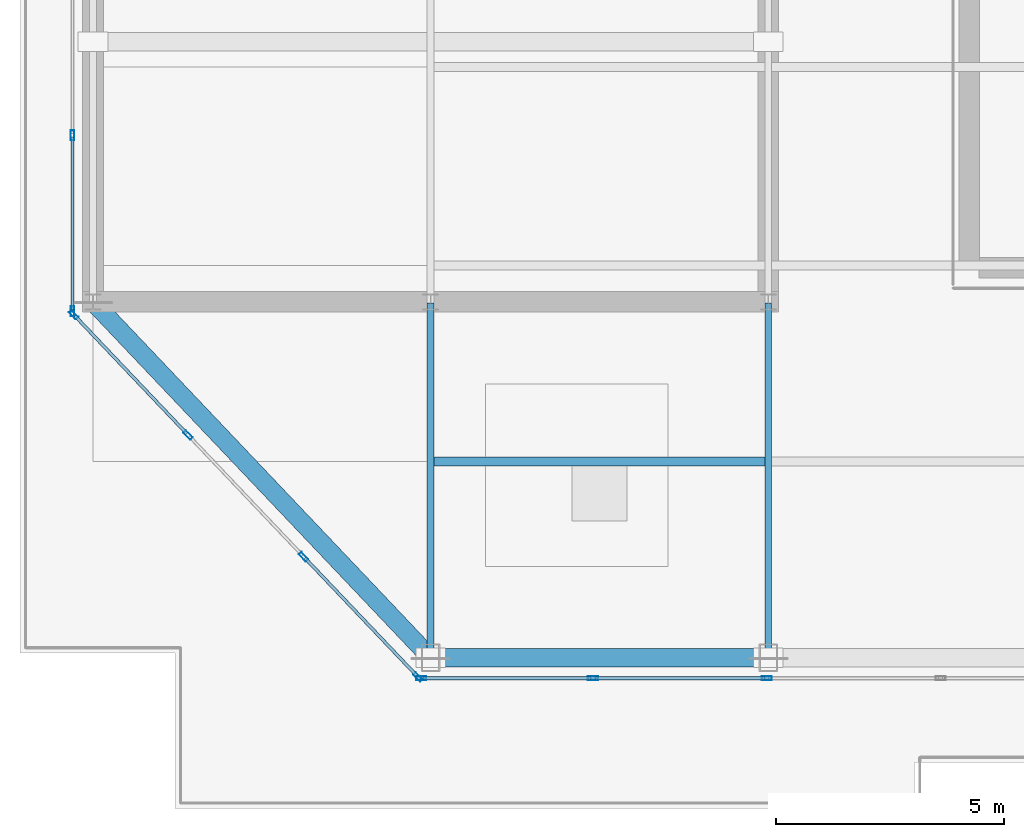
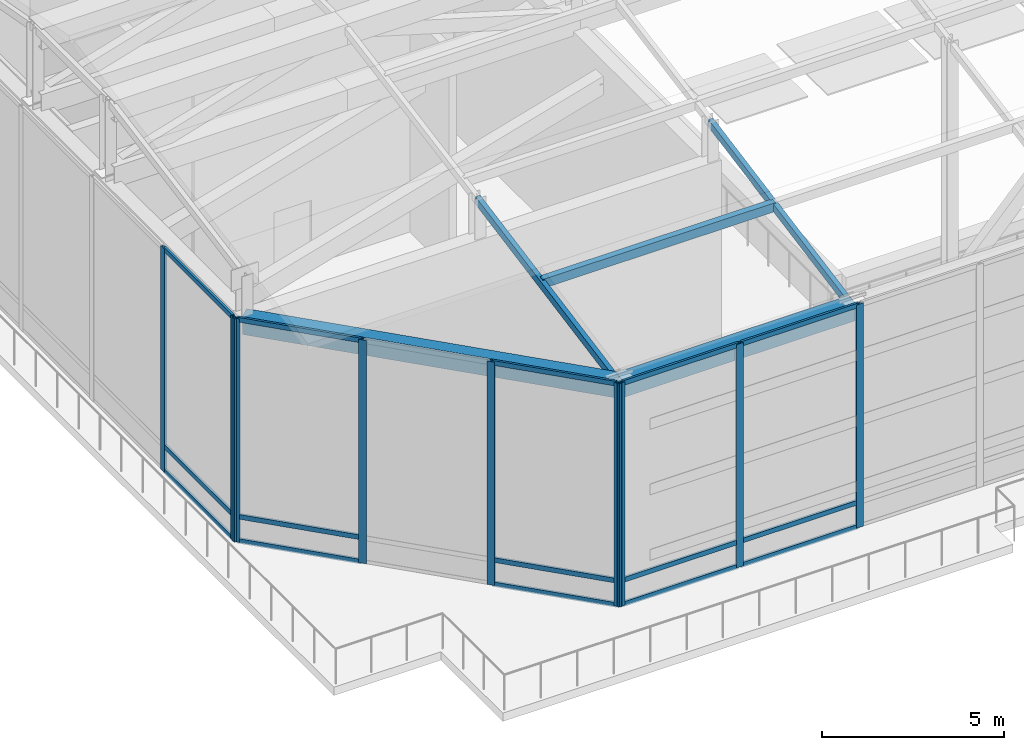
# One storey, part 4 of 25: 27 members, 2 beams, 3 elements without a shape of their own.
"""IFC4 building model written with IfcOpenShell, lengths in metres."""

from ifc_helpers import new_model, si_unit, direction, frame, origin, origin_2d, place, context, subcontext, project, spatial, hollow_rectangle, extrude, source, transform, mapped, material, layer, layer_set, material_profile, profile_set, type_object, type_shapes, element, aggregate, save


model = new_model("IFC4")

# Units and contexts
model_context = context("Model", 3, precision=1e-05, world=origin(), true_north=direction((0.0, 1.0)))
body_context = subcontext(model_context, "Body", "Model", "MODEL_VIEW")
ifc_project = project(units=[si_unit("LENGTHUNIT", "METRE"), si_unit("AREAUNIT", "SQUARE_METRE"), si_unit("VOLUMEUNIT", "CUBIC_METRE"), si_unit("PLANEANGLEUNIT", "RADIAN"), si_unit("MASSUNIT", "GRAM", prefix="KILO")], contexts=[model_context])

# Site, building, storey
site_placement = place(None, origin())
site = spatial("IfcSite", under=ifc_project, at=site_placement, CompositionType="ELEMENT")
building_placement = place(site_placement, origin())
building = spatial("IfcBuilding", under=site, at=building_placement, Name="Haelvirn Gate Laboratories", CompositionType="ELEMENT")
storey_placement = place(building_placement, frame((0.0, 0.0, 337.800048828125)))
storey = spatial("IfcBuildingStorey", under=building, at=storey_placement, Name="RF", CompositionType="ELEMENT", Elevation=337.800048828125)

# Beams
ifc_material_1 = material(Name="Steel SM420", Category="steel")
ifc_material_profile_1 = material_profile(ifc_material_1, hollow_rectangle(XDim=0.39990234375, YDim=0.60009765625, WallThickness=0.02490234375, at=origin_2d()), Name="BOX-600x400x25")
ifc_profile_set_1 = profile_set([ifc_material_profile_1], Name="Steel SM420")
beam_type = type_object("IfcBeamType", Name="BM-CROWN-CAP", PredefinedType="USERDEFINED", material=ifc_profile_set_1)
shared_shape_1 = source(origin(), body_context, "Body", "SweptSolid", [
    extrude(hollow_rectangle(XDim=0.39990234375, YDim=0.60009765625, WallThickness=0.02490234375, at=origin_2d()), origin(), (0.0, 0.0, 1.0), 7.39990234375),
])
beam_1_placement = place(storey_placement, frame((14.800048828125, 7.0, 7.050048828125), z_axis=(1.0, 0.0, 0.0), x_axis=(0.0, 1.0, 0.0)))
element("IfcBeam", 1, at=beam_1_placement, inside=storey, type_object=beam_type, Name="RF Crown Frame Cap Ring Beam S1-S2", ObjectType="CROWN FRAME", PredefinedType="USERDEFINED", context=body_context, shape_type="MappedRepresentation", body=[
    mapped(shared_shape_1, transform((0.0, 0.0, 0.0), scale=1.0)),
])
shared_shape_2 = source(origin(), body_context, "Body", "SweptSolid", [
    extrude(hollow_rectangle(XDim=0.39990234375, YDim=0.60009765625, WallThickness=0.02490234375, at=origin_2d()), origin(), (0.0, 0.0, 1.0), 10.751953125),
])
type_shapes(beam_type, [shared_shape_1, shared_shape_2])
beam_2_placement = place(storey_placement, frame((7.39990234375, 14.800048828125, 7.050048828125), z_axis=(0.688265334683, -0.725459047138, 0.0), x_axis=(0.725459047138, 0.688265334683, 0.0)))
element("IfcBeam", 2, at=beam_2_placement, inside=storey, type_object=beam_type, Name="RF Crown Frame Cap Ring Beam W1-S1", ObjectType="CROWN FRAME", PredefinedType="USERDEFINED", context=body_context, shape_type="MappedRepresentation", body=[
    mapped(shared_shape_2, transform((0.0, 0.0, 0.0), scale=1.0)),
])

# Members
ifc_material_2 = material(Name="Steel SM355", Category="steel")
ifc_material_profile_2 = material_profile(ifc_material_2, hollow_rectangle(XDim=0.14990234375, YDim=0.25, WallThickness=0.010009765625, at=origin_2d()), Name="RHS-250x150x10")
ifc_profile_set_2 = profile_set([ifc_material_profile_2], Name="Steel SM355")
member_type_1 = type_object("IfcMemberType", Name="MEM-CROWN-RAF", PredefinedType="RAFTER", material=ifc_profile_set_2)
shared_shape_3 = source(origin(), body_context, "Body", "SweptSolid", [
    extrude(hollow_rectangle(XDim=0.14990234375, YDim=0.25, WallThickness=0.010009765625, at=origin_2d()), origin(), (0.0, 0.0, 1.0), 7.9375),
])
type_shapes(member_type_1, [shared_shape_3])
for number, where, z_axis, x_axis, name in (
    (3, (14.800048828125, 7.0, 7.099853515625), (0.0, 0.982673493777, 0.185345096044), (-1.0, 0.0, 0.0), "RF Vault Rafter Chord X14.8-1"),
    (4, (22.199951171875, 7.0, 7.099853515625), (0.0, 0.982673493777, 0.185345096044), (-1.0, 0.0, 0.0), "RF Vault Rafter Chord X22.2-1"),
):
    element("IfcMember", number, at=place(storey_placement, frame(where, z_axis=z_axis, x_axis=x_axis)), inside=storey, type_object=member_type_1, Name=name, PredefinedType="RAFTER", context=body_context, shape_type="MappedRepresentation", body=[
        mapped(shared_shape_3, transform((0.0, 0.0, 0.0), scale=1.0)),
    ])
ifc_material_profile_3 = material_profile(ifc_material_2, hollow_rectangle(XDim=0.199951171875, YDim=0.300048828125, WallThickness=0.011962890625, at=origin_2d()), Name="RHS-300x200x12")
ifc_profile_set_3 = profile_set([ifc_material_profile_3], Name="Steel SM355")
member_type_2 = type_object("IfcMemberType", Name="MEM-ROOF-PURL", PredefinedType="PURLIN", material=ifc_profile_set_3)
shared_shape_4 = source(origin(), body_context, "Body", "SweptSolid", [
    extrude(hollow_rectangle(XDim=0.199951171875, YDim=0.300048828125, WallThickness=0.011962890625, at=origin_2d()), origin(), (0.0, 0.0, 1.0), 7.39990234375),
])
type_shapes(member_type_2, [shared_shape_4])
member_1_placement = place(storey_placement, frame((14.800048828125, 11.300048828125, 7.89990234375), z_axis=(1.0, 0.0, 0.0), x_axis=(0.0, 1.0, 0.0)))
element("IfcMember", 5, at=member_1_placement, inside=storey, type_object=member_type_2, Name="RF Vault Purlin 1 (14.8-22.2)", PredefinedType="PURLIN", context=body_context, shape_type="MappedRepresentation", body=[
    mapped(shared_shape_4, transform((0.0, 0.0, 0.0), scale=1.0)),
])

# Curtain wall, members
ifc_material_3 = material(Name="Anodised bronze unitised aluminium & triple low-E glass", Category="aluminium")
ifc_layer = layer(ifc_material_3, 0.19189453125, Name="CW-SYS-6")
ifc_layer_set = layer_set([ifc_layer], Name="Anodised bronze unitised aluminium & triple low-E glass")
curtain_wall_type = type_object("IfcCurtainWallType", Name="CW-SYS-6", PredefinedType="NOTDEFINED", material=ifc_layer_set)
curtain_wall_1_placement = place(storey_placement, origin())
curtain_wall_1 = element("IfcCurtainWall", 6, at=curtain_wall_1_placement, inside=storey, type_object=curtain_wall_type, Name="RF Unitised Curtain Wall CW-RF-RING-00", PredefinedType="NOTDEFINED")
ifc_material_4 = material(Name="Extruded aluminium 6063-T6 (anodised bronze)", Category="aluminium")
ifc_material_profile_4 = material_profile(ifc_material_4, hollow_rectangle(XDim=0.080078125, YDim=0.219970703125, WallThickness=0.006103515625, at=origin_2d()), Name="CWM-220x80x6")
ifc_profile_set_4 = profile_set([ifc_material_profile_4], Name="Extruded aluminium 6063-T6 (anodised bronze)")
member_type_3 = type_object("IfcMemberType", Name="CWM-T220", PredefinedType="MULLION", material=ifc_profile_set_4)
shared_shape_5 = source(origin(), body_context, "Body", "SweptSolid", [
    extrude(hollow_rectangle(XDim=0.080078125, YDim=0.219970703125, WallThickness=0.006103515625, at=origin_2d()), origin(), (0.0, 0.0, 1.0), 7.5),
])
type_shapes(member_type_3, [shared_shape_5])
member_2_placement = place(storey_placement, frame((14.590087890625, 6.550048828125, 0.0), z_axis=(0.0, 0.0, 1.0), x_axis=(0.0, 1.0, 0.0)))
member_2 = element("IfcMember", 7, at=member_2_placement, type_object=member_type_3, Name="CW6 mullion 1", PredefinedType="MULLION", context=body_context, shape_type="MappedRepresentation", body=[
    mapped(shared_shape_5, transform((0.0, 0.0, 0.0), scale=1.0)),
])
member_3_placement = place(storey_placement, frame((18.3583984375, 6.550048828125, 0.0), z_axis=(0.0, 0.0, 1.0), x_axis=(0.0, 1.0, 0.0)))
member_3 = element("IfcMember", 8, at=member_3_placement, type_object=member_type_3, Name="CW6 mullion 2", PredefinedType="MULLION", context=body_context, shape_type="MappedRepresentation", body=[
    mapped(shared_shape_5, transform((0.0, 0.0, 0.0), scale=1.0)),
])
member_4_placement = place(storey_placement, frame((22.166748046875, 6.550048828125, 0.0), z_axis=(0.0, 0.0, 1.0), x_axis=(0.0, 1.0, 0.0)))
member_4 = element("IfcMember", 9, at=member_4_placement, type_object=member_type_3, Name="CW6 mullion 3", PredefinedType="MULLION", context=body_context, shape_type="MappedRepresentation", body=[
    mapped(shared_shape_5, transform((0.0, 0.0, 0.0), scale=1.0)),
])

curtain_wall_2_placement = place(storey_placement, origin())
curtain_wall_2 = element("IfcCurtainWall", 10, at=curtain_wall_2_placement, inside=storey, type_object=curtain_wall_type, Name="RF Unitised Curtain Wall CW-RF-RING-06", PredefinedType="NOTDEFINED")
member_5_placement = place(storey_placement, frame((6.949951171875, 18.449951171875, 0.0), z_axis=(0.0, 0.0, 1.0), x_axis=(1.0, 0.0, 0.0)))
member_5 = element("IfcMember", 11, at=member_5_placement, type_object=member_type_3, Name="CW6 mullion 5", PredefinedType="MULLION", context=body_context, shape_type="MappedRepresentation", body=[
    mapped(shared_shape_5, transform((0.0, 0.0, 0.0), scale=1.0)),
])
member_6_placement = place(storey_placement, frame((6.949951171875, 14.590087890625, 0.0), z_axis=(0.0, 0.0, 1.0), x_axis=(1.0, 0.0, 0.0)))
member_6 = element("IfcMember", 12, at=member_6_placement, type_object=member_type_3, Name="CW6 mullion 6", PredefinedType="MULLION", context=body_context, shape_type="MappedRepresentation", body=[
    mapped(shared_shape_5, transform((0.0, 0.0, 0.0), scale=1.0)),
])

curtain_wall_3_placement = place(storey_placement, origin())
curtain_wall_3 = element("IfcCurtainWall", 13, at=curtain_wall_3_placement, inside=storey, type_object=curtain_wall_type, Name="RF Unitised Curtain Wall CW-RF-RING-07", PredefinedType="NOTDEFINED")
member_7_placement = place(storey_placement, frame((6.9775390625, 14.52099609375, 0.0), z_axis=(0.0, 0.0, 1.0), x_axis=(0.72499943359, 0.68874946192, 0.0)))
member_7 = element("IfcMember", 14, at=member_7_placement, type_object=member_type_3, Name="CW6 mullion 1", PredefinedType="MULLION", context=body_context, shape_type="MappedRepresentation", body=[
    mapped(shared_shape_5, transform((0.0, 0.0, 0.0), scale=1.0)),
])
member_8_placement = place(storey_placement, frame((9.4833984375, 11.88330078125, 0.0), z_axis=(0.0, 0.0, 1.0), x_axis=(0.72499943359, 0.68874946192, 0.0)))
member_8 = element("IfcMember", 15, at=member_8_placement, type_object=member_type_3, Name="CW6 mullion 2", PredefinedType="MULLION", context=body_context, shape_type="MappedRepresentation", body=[
    mapped(shared_shape_5, transform((0.0, 0.0, 0.0), scale=1.0)),
])
member_9_placement = place(storey_placement, frame((12.0166015625, 9.216552734375, 0.0), z_axis=(0.0, 0.0, 1.0), x_axis=(0.72499943359, 0.68874946192, 0.0)))
member_9 = element("IfcMember", 16, at=member_9_placement, type_object=member_type_3, Name="CW6 mullion 3", PredefinedType="MULLION", context=body_context, shape_type="MappedRepresentation", body=[
    mapped(shared_shape_5, transform((0.0, 0.0, 0.0), scale=1.0)),
])
member_10_placement = place(storey_placement, frame((14.5224609375, 6.5791015625, 0.0), z_axis=(0.0, 0.0, 1.0), x_axis=(0.72499943359, 0.68874946192, 0.0)))
member_10 = element("IfcMember", 17, at=member_10_placement, type_object=member_type_3, Name="CW6 mullion 4", PredefinedType="MULLION", context=body_context, shape_type="MappedRepresentation", body=[
    mapped(shared_shape_5, transform((0.0, 0.0, 0.0), scale=1.0)),
])

# Member
ifc_material_profile_5 = material_profile(ifc_material_4, hollow_rectangle(XDim=0.070068359375, YDim=0.159912109375, WallThickness=0.0048828125, at=origin_2d()), Name="CWT-160x70x5")
ifc_profile_set_5 = profile_set([ifc_material_profile_5], Name="Extruded aluminium 6063-T6 (anodised bronze)")
member_type_4 = type_object("IfcMemberType", Name="CWT-T160", PredefinedType="USERDEFINED", material=ifc_profile_set_5)
shared_shape_6 = source(origin(), body_context, "Body", "SweptSolid", [
    extrude(hollow_rectangle(XDim=0.070068359375, YDim=0.159912109375, WallThickness=0.0048828125, at=origin_2d()), origin(), (0.0, 0.0, 1.0), 3.6884765625),
])
member_11_placement = place(storey_placement, frame((14.6298828125, 6.550048828125, 0.034912109375), z_axis=(1.0, 0.0, 0.0), x_axis=(0.0, 1.0, 0.0)))
member_11 = element("IfcMember", 18, at=member_11_placement, type_object=member_type_4, Name="CW6 transom 1.1", ObjectType="TRANSOM", PredefinedType="USERDEFINED", context=body_context, shape_type="MappedRepresentation", body=[
    mapped(shared_shape_6, transform((0.0, 0.0, 0.0), scale=1.0)),
])

member_12_placement = place(storey_placement, frame((14.6298828125, 6.550048828125, 0.849853515625), z_axis=(1.0, 0.0, 0.0), x_axis=(0.0, 1.0, 0.0)))
member_12 = element("IfcMember", 19, at=member_12_placement, type_object=member_type_4, Name="CW6 transom 1.2", ObjectType="TRANSOM", PredefinedType="USERDEFINED", context=body_context, shape_type="MappedRepresentation", body=[
    mapped(shared_shape_6, transform((0.0, 0.0, 0.0), scale=1.0)),
])

member_13_placement = place(storey_placement, frame((14.6298828125, 6.550048828125, 7.46484375), z_axis=(1.0, 0.0, 0.0), x_axis=(0.0, 1.0, 0.0)))
member_13 = element("IfcMember", 20, at=member_13_placement, type_object=member_type_4, Name="CW6 transom 1.3", ObjectType="TRANSOM", PredefinedType="USERDEFINED", context=body_context, shape_type="MappedRepresentation", body=[
    mapped(shared_shape_6, transform((0.0, 0.0, 0.0), scale=1.0)),
])

shared_shape_7 = source(origin(), body_context, "Body", "SweptSolid", [
    extrude(hollow_rectangle(XDim=0.070068359375, YDim=0.159912109375, WallThickness=0.0048828125, at=origin_2d()), origin(), (0.0, 0.0, 1.0), 3.728271484375),
])
member_14_placement = place(storey_placement, frame((18.3984375, 6.550048828125, 0.034912109375), z_axis=(1.0, 0.0, 0.0), x_axis=(0.0, 1.0, 0.0)))
member_14 = element("IfcMember", 21, at=member_14_placement, type_object=member_type_4, Name="CW6 transom 2.1", ObjectType="TRANSOM", PredefinedType="USERDEFINED", context=body_context, shape_type="MappedRepresentation", body=[
    mapped(shared_shape_7, transform((0.0, 0.0, 0.0), scale=1.0)),
])

member_15_placement = place(storey_placement, frame((18.3984375, 6.550048828125, 0.849853515625), z_axis=(1.0, 0.0, 0.0), x_axis=(0.0, 1.0, 0.0)))
member_15 = element("IfcMember", 22, at=member_15_placement, type_object=member_type_4, Name="CW6 transom 2.2", ObjectType="TRANSOM", PredefinedType="USERDEFINED", context=body_context, shape_type="MappedRepresentation", body=[
    mapped(shared_shape_7, transform((0.0, 0.0, 0.0), scale=1.0)),
])

member_16_placement = place(storey_placement, frame((18.3984375, 6.550048828125, 7.46484375), z_axis=(1.0, 0.0, 0.0), x_axis=(0.0, 1.0, 0.0)))
member_16 = element("IfcMember", 23, at=member_16_placement, type_object=member_type_4, Name="CW6 transom 2.3", ObjectType="TRANSOM", PredefinedType="USERDEFINED", context=body_context, shape_type="MappedRepresentation", body=[
    mapped(shared_shape_7, transform((0.0, 0.0, 0.0), scale=1.0)),
])

aggregate(curtain_wall_1, [member_2, member_3, member_4, member_11, member_12, member_13, member_14, member_15, member_16])

shared_shape_8 = source(origin(), body_context, "Body", "SweptSolid", [
    extrude(hollow_rectangle(XDim=0.070068359375, YDim=0.159912109375, WallThickness=0.0048828125, at=origin_2d()), origin(), (0.0, 0.0, 1.0), 3.558349609375),
])
member_17_placement = place(storey_placement, frame((12.044189453125, 9.187744140625, 0.034912109375), z_axis=(0.688726019915, -0.725021702773, 0.0), x_axis=(0.725021702773, 0.688726019915, 0.0)))
member_17 = element("IfcMember", 24, at=member_17_placement, type_object=member_type_4, Name="CW6 transom 3.1", ObjectType="TRANSOM", PredefinedType="USERDEFINED", context=body_context, shape_type="MappedRepresentation", body=[
    mapped(shared_shape_8, transform((0.0, 0.0, 0.0), scale=1.0)),
])

member_18_placement = place(storey_placement, frame((12.044189453125, 9.187744140625, 0.849853515625), z_axis=(0.688726019915, -0.725021702773, 0.0), x_axis=(0.725021702773, 0.688726019915, 0.0)))
member_18 = element("IfcMember", 25, at=member_18_placement, type_object=member_type_4, Name="CW6 transom 3.2", ObjectType="TRANSOM", PredefinedType="USERDEFINED", context=body_context, shape_type="MappedRepresentation", body=[
    mapped(shared_shape_8, transform((0.0, 0.0, 0.0), scale=1.0)),
])

member_19_placement = place(storey_placement, frame((12.044189453125, 9.187744140625, 7.46484375), z_axis=(0.688726019915, -0.725021702773, 0.0), x_axis=(0.725021702773, 0.688726019915, 0.0)))
member_19 = element("IfcMember", 26, at=member_19_placement, type_object=member_type_4, Name="CW6 transom 3.3", ObjectType="TRANSOM", PredefinedType="USERDEFINED", context=body_context, shape_type="MappedRepresentation", body=[
    mapped(shared_shape_8, transform((0.0, 0.0, 0.0), scale=1.0)),
])

shared_shape_9 = source(origin(), body_context, "Body", "SweptSolid", [
    extrude(hollow_rectangle(XDim=0.070068359375, YDim=0.159912109375, WallThickness=0.0048828125, at=origin_2d()), origin(), (0.0, 0.0, 1.0), 3.55810546875),
])
member_20_placement = place(storey_placement, frame((7.005126953125, 14.491943359375, 0.034912109375), z_axis=(0.688760281595, -0.724989154745, 0.0), x_axis=(0.724989154745, 0.688760281595, 0.0)))
member_20 = element("IfcMember", 27, at=member_20_placement, type_object=member_type_4, Name="CW6 transom 1.1", ObjectType="TRANSOM", PredefinedType="USERDEFINED", context=body_context, shape_type="MappedRepresentation", body=[
    mapped(shared_shape_9, transform((0.0, 0.0, 0.0), scale=1.0)),
])

member_21_placement = place(storey_placement, frame((7.005126953125, 14.491943359375, 0.849853515625), z_axis=(0.688760281595, -0.724989154745, 0.0), x_axis=(0.724989154745, 0.688760281595, 0.0)))
member_21 = element("IfcMember", 28, at=member_21_placement, type_object=member_type_4, Name="CW6 transom 1.2", ObjectType="TRANSOM", PredefinedType="USERDEFINED", context=body_context, shape_type="MappedRepresentation", body=[
    mapped(shared_shape_9, transform((0.0, 0.0, 0.0), scale=1.0)),
])

member_22_placement = place(storey_placement, frame((7.005126953125, 14.491943359375, 7.46484375), z_axis=(0.688760281595, -0.724989154745, 0.0), x_axis=(0.724989154745, 0.688760281595, 0.0)))
member_22 = element("IfcMember", 29, at=member_22_placement, type_object=member_type_4, Name="CW6 transom 1.3", ObjectType="TRANSOM", PredefinedType="USERDEFINED", context=body_context, shape_type="MappedRepresentation", body=[
    mapped(shared_shape_9, transform((0.0, 0.0, 0.0), scale=1.0)),
])

aggregate(curtain_wall_3, [member_7, member_8, member_9, member_10, member_20, member_21, member_22, member_17, member_18, member_19])

shared_shape_10 = source(origin(), body_context, "Body", "SweptSolid", [
    extrude(hollow_rectangle(XDim=0.070068359375, YDim=0.159912109375, WallThickness=0.0048828125, at=origin_2d()), origin(), (0.0, 0.0, 1.0), 3.780029296875),
])
type_shapes(member_type_4, [shared_shape_6, shared_shape_7, shared_shape_8, shared_shape_9, shared_shape_10])
member_23_placement = place(storey_placement, frame((6.949951171875, 18.409912109375, 0.034912109375), z_axis=(0.0, -1.0, 0.0), x_axis=(1.0, 0.0, 0.0)))
member_23 = element("IfcMember", 30, at=member_23_placement, type_object=member_type_4, Name="CW6 transom 5.1", ObjectType="TRANSOM", PredefinedType="USERDEFINED", context=body_context, shape_type="MappedRepresentation", body=[
    mapped(shared_shape_10, transform((0.0, 0.0, 0.0), scale=1.0)),
])

member_24_placement = place(storey_placement, frame((6.949951171875, 18.409912109375, 0.849853515625), z_axis=(0.0, -1.0, 0.0), x_axis=(1.0, 0.0, 0.0)))
member_24 = element("IfcMember", 31, at=member_24_placement, type_object=member_type_4, Name="CW6 transom 5.2", ObjectType="TRANSOM", PredefinedType="USERDEFINED", context=body_context, shape_type="MappedRepresentation", body=[
    mapped(shared_shape_10, transform((0.0, 0.0, 0.0), scale=1.0)),
])

member_25_placement = place(storey_placement, frame((6.949951171875, 18.409912109375, 7.46484375), z_axis=(0.0, -1.0, 0.0), x_axis=(1.0, 0.0, 0.0)))
member_25 = element("IfcMember", 32, at=member_25_placement, type_object=member_type_4, Name="CW6 transom 5.3", ObjectType="TRANSOM", PredefinedType="USERDEFINED", context=body_context, shape_type="MappedRepresentation", body=[
    mapped(shared_shape_10, transform((0.0, 0.0, 0.0), scale=1.0)),
])

aggregate(curtain_wall_2, [member_5, member_6, member_23, member_24, member_25])

save(model, "model.ifc")
